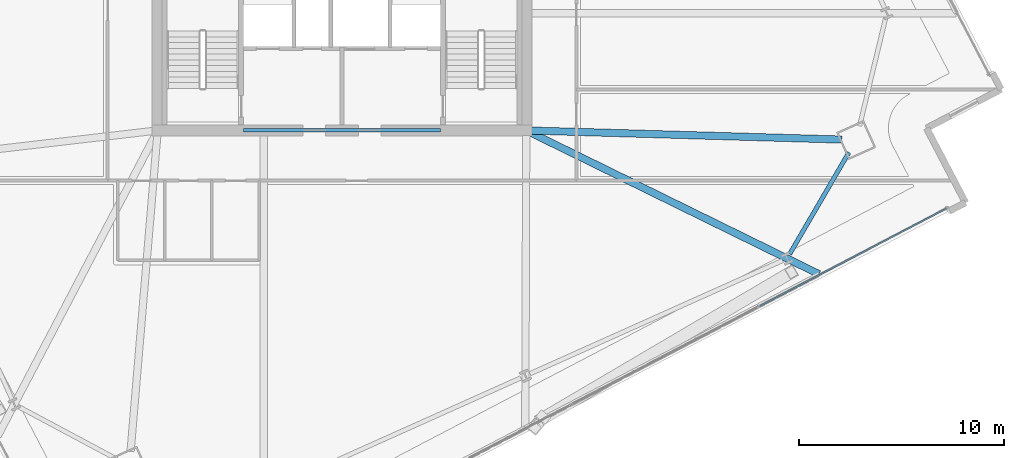
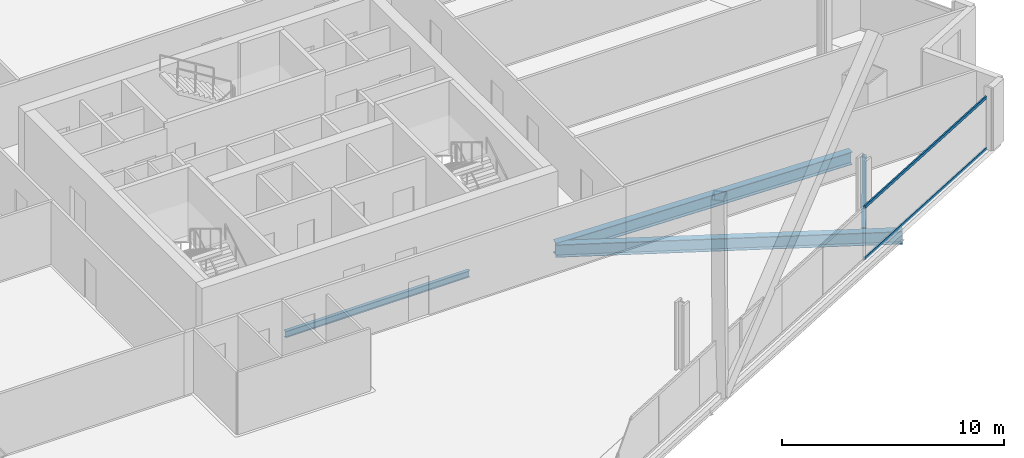
# One storey, part 10 of 33: 4 beams, 2 members, 1 element without a shape of its own.
"""IFC4 building model written with IfcOpenShell, lengths in metres."""

from ifc_helpers import new_model, si_unit, direction, frame, origin, origin_2d, place, context, subcontext, project, spatial, hollow_rectangle, i_section, extrude, material, material_profile, profile_set, type_object, element, aggregate, save


model = new_model("IFC4")

# Units and contexts
model_context = context("Model", 3, precision=1e-05, world=origin(), true_north=direction((0.0, 1.0)))
body_context = subcontext(model_context, "Body", "Model", "MODEL_VIEW")
ifc_project = project(units=[si_unit("LENGTHUNIT", "METRE"), si_unit("AREAUNIT", "SQUARE_METRE"), si_unit("VOLUMEUNIT", "CUBIC_METRE"), si_unit("PLANEANGLEUNIT", "RADIAN"), si_unit("MASSUNIT", "GRAM", prefix="KILO")], contexts=[model_context])

# Site, building, storey
site_placement = place(None, origin())
site = spatial("IfcSite", under=ifc_project, at=site_placement, CompositionType="ELEMENT")
building_placement = place(site_placement, origin())
building = spatial("IfcBuilding", under=site, at=building_placement, Name="Haldenkirk Collegiate Tower", CompositionType="ELEMENT")
storey_placement = place(building_placement, frame((0.0, 0.0, 120.449951171875)))
storey = spatial("IfcBuildingStorey", under=building, at=storey_placement, Name="L29", CompositionType="ELEMENT", Elevation=120.449951171875)

# Beams
ifc_material_1 = material(Name="Steel ASTM A992 Grade 50", Category="steel")
ifc_material_profile_1 = material_profile(ifc_material_1, i_section(OverallWidth=0.35498046875, OverallDepth=0.696044921875, WebThickness=0.015380859375, FlangeThickness=0.02490234375, at=origin_2d()), Name="W27X146")
ifc_profile_set_1 = profile_set([ifc_material_profile_1], Name="Steel ASTM A992 Grade 50")
beam_type_1 = type_object("IfcBeamType", Name="BM-GIRDER-W27X146", PredefinedType="BEAM", material=ifc_profile_set_1)
beam_1_placement = place(storey_placement, frame((60.4072265625, 17.55322265625, -0.64794921875), z_axis=(-0.999579697841, 0.028990130448, 0.0), x_axis=(-0.028990130448, -0.999579697841, 0.0)))
element("IfcBeam", 1, at=beam_1_placement, inside=storey, type_object=beam_type_1, Name="L29 primary floor girder 02", PredefinedType="BEAM", context=body_context, shape_type="SweptSolid", body=[
    extrude(i_section(OverallWidth=0.35498046875, OverallDepth=0.696044921875, WebThickness=0.015380859375, FlangeThickness=0.02490234375, at=origin_2d()), origin(), (0.0, 0.0, 1.0), 15.15869140625),
])
beam_2_placement = place(storey_placement, frame((59.298828125, 10.97998046875, -0.64794921875), z_axis=(-0.897649685291, 0.440709703203, 0.0), x_axis=(-0.440709703203, -0.897649685291, 0.0)))
element("IfcBeam", 2, at=beam_2_placement, inside=storey, type_object=beam_type_1, Name="L29 primary floor girder 07", PredefinedType="BEAM", context=body_context, shape_type="SweptSolid", body=[
    extrude(i_section(OverallWidth=0.35498046875, OverallDepth=0.696044921875, WebThickness=0.015380859375, FlangeThickness=0.02490234375, at=origin_2d()), origin(), (0.0, 0.0, 1.0), 15.674072265625),
])
ifc_material_profile_2 = material_profile(ifc_material_1, i_section(OverallWidth=0.1708984375, OverallDepth=0.35595703125, WebThickness=0.007080078125, FlangeThickness=0.01171875, at=origin_2d()), Name="W14X34")
ifc_profile_set_2 = profile_set([ifc_material_profile_2], Name="Steel ASTM A992 Grade 50")
beam_type_2 = type_object("IfcBeamType", Name="BM-LINTEL-W14X34", PredefinedType="LINTEL", material=ifc_profile_set_2)
beam_3_placement = place(storey_placement, frame((31.199951171875, 18.0, -0.47802734375), z_axis=(1.0, 0.0, 0.0), x_axis=(0.0, 1.0, 0.0)))
element("IfcBeam", 3, at=beam_3_placement, inside=storey, type_object=beam_type_2, Name="L29 south core coupling lintel", PredefinedType="LINTEL", context=body_context, shape_type="SweptSolid", body=[
    extrude(i_section(OverallWidth=0.1708984375, OverallDepth=0.35595703125, WebThickness=0.007080078125, FlangeThickness=0.01171875, at=origin_2d()), origin(), (0.0, 0.0, 1.0), 9.60009765625),
])
ifc_material_profile_3 = material_profile(ifc_material_1, i_section(OverallWidth=0.2119140625, OverallDepth=0.5439453125, WebThickness=0.01318359375, FlangeThickness=0.021240234375, at=origin_2d()), Name="W21X83")
ifc_profile_set_3 = profile_set([ifc_material_profile_3], Name="Steel ASTM A992 Grade 50")
beam_type_3 = type_object("IfcBeamType", Name="BM-SPANDREL-W21X83", PredefinedType="SPANDREL", material=ifc_profile_set_3)
beam_4_placement = place(storey_placement, frame((57.86181640625, 11.958251953125, -0.572021484375), z_axis=(0.503667660107, 0.863897498643, 0.0), x_axis=(-0.863897498643, 0.503667660107, 0.0)))
element("IfcBeam", 4, at=beam_4_placement, inside=storey, type_object=beam_type_3, Name="L29 perimeter spandrel beam 04", PredefinedType="SPANDREL", context=body_context, shape_type="SweptSolid", body=[
    extrude(i_section(OverallWidth=0.2119140625, OverallDepth=0.5439453125, WebThickness=0.01318359375, FlangeThickness=0.021240234375, at=origin_2d()), origin(), (0.0, 0.0, 1.0), 5.747802734375),
])

# Curtain wall, members
ifc_material_2 = material(Name="Anodised architectural bronze aluminium", Category="aluminium")
curtain_wall_type = type_object("IfcCurtainWallType", Name="CW-SYS2-CONCAVE", PredefinedType="USERDEFINED", material=ifc_material_2)
curtain_wall_placement = place(storey_placement, origin())
curtain_wall = element("IfcCurtainWall", 5, at=curtain_wall_placement, inside=storey, type_object=curtain_wall_type, Name="L29 South concave recessed bronze-anodised curtain wall", ObjectType="UNITISED CURTAIN WALL", PredefinedType="USERDEFINED")
ifc_material_profile_4 = material_profile(ifc_material_2, hollow_rectangle(XDim=0.074951171875, YDim=0.159912109375, WallThickness=0.0048828125, at=origin_2d()), Name="CW-TRN-02")
ifc_profile_set_4 = profile_set([ifc_material_profile_4], Name="Anodised architectural bronze aluminium")
member_type = type_object("IfcMemberType", Name="CW-TRN-02", PredefinedType="USERDEFINED", material=ifc_profile_set_4)
member_1_placement = place(storey_placement, frame((65.508544921875, 14.18115234375, 0.03759765625), z_axis=(-0.886212125251, -0.463279687725, 0.0), x_axis=(0.463279687725, -0.886212125251, 0.0)))
member_1 = element("IfcMember", 6, at=member_1_placement, type_object=member_type, Name="CW-02 transom 1.1", ObjectType="TRANSOM", PredefinedType="USERDEFINED", context=body_context, shape_type="SweptSolid", body=[
    extrude(hollow_rectangle(XDim=0.074951171875, YDim=0.159912109375, WallThickness=0.0048828125, at=origin_2d()), origin(), (0.0, 0.0, 1.0), 10.262451171875),
])
member_2_placement = place(storey_placement, frame((65.508544921875, 14.18115234375, 2.863525390625), z_axis=(-0.886212125251, -0.463279687725, 0.0), x_axis=(0.463279687725, -0.886212125251, 0.0)))
member_2 = element("IfcMember", 7, at=member_2_placement, type_object=member_type, Name="CW-02 transom 1.2", ObjectType="TRANSOM", PredefinedType="USERDEFINED", context=body_context, shape_type="SweptSolid", body=[
    extrude(hollow_rectangle(XDim=0.074951171875, YDim=0.159912109375, WallThickness=0.0048828125, at=origin_2d()), origin(), (0.0, 0.0, 1.0), 10.262451171875),
])
aggregate(curtain_wall, [member_1, member_2])

save(model, "model.ifc")
